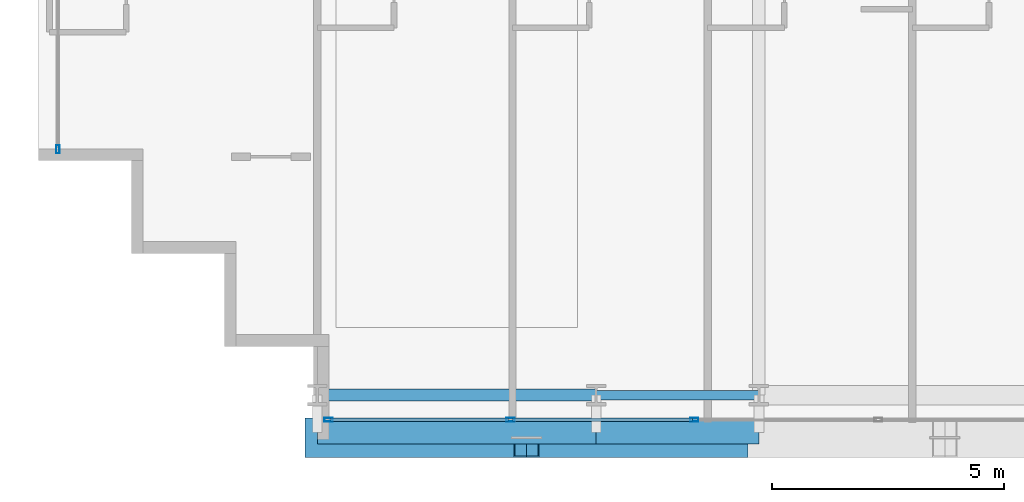
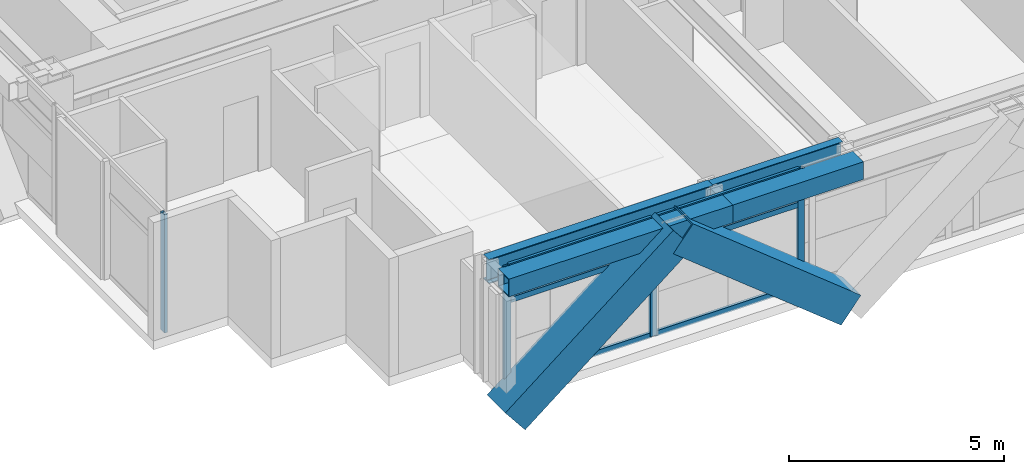
# One storey, part 2 of 36: 12 members, 4 beams, 2 elements without a shape of their own.
"""IFC4 building model written with IfcOpenShell, lengths in metres."""

from ifc_helpers import new_model, si_unit, direction, frame, origin, origin_2d, place, context, subcontext, project, spatial, hollow_rectangle, i_section, extrude, source, transform, mapped, material, layer, layer_set, material_profile, profile_set, type_object, element, aggregate, save


model = new_model("IFC4")

# Units and contexts
model_context = context("Model", 3, precision=1e-05, world=origin(), true_north=direction((0.0, 1.0)))
body_context = subcontext(model_context, "Body", "Model", "MODEL_VIEW")
ifc_project = project(units=[si_unit("LENGTHUNIT", "METRE"), si_unit("AREAUNIT", "SQUARE_METRE"), si_unit("VOLUMEUNIT", "CUBIC_METRE"), si_unit("PLANEANGLEUNIT", "RADIAN"), si_unit("MASSUNIT", "GRAM", prefix="KILO")], contexts=[model_context])

# Site, building, storey
site_placement = place(None, origin())
site = spatial("IfcSite", under=ifc_project, at=site_placement, CompositionType="ELEMENT")
building_placement = place(site_placement, origin())
building = spatial("IfcBuilding", under=site, at=building_placement, Name="Ocotamira Hotel", CompositionType="ELEMENT")
storey_placement = place(building_placement, frame((0.0, 0.0, 42.0)))
storey = spatial("IfcBuildingStorey", under=building, at=storey_placement, Name="L09", CompositionType="ELEMENT", Elevation=42.0)

# Beams
ifc_material_1 = material(Name="Steel ASTM A992 Grade 50", Category="steel")
ifc_material_profile_1 = material_profile(ifc_material_1, i_section(OverallWidth=0.256103515625, OverallDepth=0.693115234375, WebThickness=0.014404296875, FlangeThickness=0.023681640625, FilletRadius=0.01611328125, at=origin_2d()), Name="W27X114")
ifc_profile_set_1 = profile_set([ifc_material_profile_1], Name="Steel ASTM A992 Grade 50")
beam_type_1 = type_object("IfcBeamType", Name="BM-PRIM-W27X114", PredefinedType="BEAM", material=ifc_profile_set_1)
shared_shape_1 = source(origin(), body_context, "Body", "SweptSolid", [
    extrude(i_section(OverallWidth=0.256103515625, OverallDepth=0.693115234375, WebThickness=0.014404296875, FlangeThickness=0.023681640625, FilletRadius=0.01611328125, at=origin_2d()), origin(), (0.0, 0.0, 1.0), 6.0),
])
beam_1_placement = place(storey_placement, frame((14.0, 2.949951171875, 3.00341796875), z_axis=(1.0, 0.0, 0.0), x_axis=(0.0, 1.0, 0.0)))
element("IfcBeam", 1, at=beam_1_placement, inside=storey, type_object=beam_type_1, Name="L09 Girder Y2.95 X14-20", PredefinedType="BEAM", context=body_context, shape_type="MappedRepresentation", body=[
    mapped(shared_shape_1, transform((0.0, 0.0, 0.0), scale=1.0)),
])
ifc_material_profile_2 = material_profile(ifc_material_1, i_section(OverallWidth=0.2099609375, OverallDepth=0.537109375, WebThickness=0.010986328125, FlangeThickness=0.017333984375, FilletRadius=0.012939453125, at=origin_2d()), Name="W21X68")
ifc_profile_set_2 = profile_set([ifc_material_profile_2], Name="Steel ASTM A992 Grade 50")
beam_type_2 = type_object("IfcBeamType", Name="BM-SEC-W21X68", PredefinedType="JOIST", material=ifc_profile_set_2)
shared_shape_2 = source(origin(), body_context, "Body", "SweptSolid", [
    extrude(i_section(OverallWidth=0.2099609375, OverallDepth=0.537109375, WebThickness=0.010986328125, FlangeThickness=0.017333984375, FilletRadius=0.012939453125, at=origin_2d()), origin(), (0.0, 0.0, 1.0), 3.5),
])
beam_2_placement = place(storey_placement, frame((20.0, 2.949951171875, 3.08154296875), z_axis=(1.0, 0.0, 0.0), x_axis=(0.0, 1.0, 0.0)))
element("IfcBeam", 2, at=beam_2_placement, inside=storey, type_object=beam_type_2, Name="L09 Girder Y2.95 X20-23.5", PredefinedType="JOIST", context=body_context, shape_type="MappedRepresentation", body=[
    mapped(shared_shape_2, transform((0.0, 0.0, 0.0), scale=1.0)),
])
ifc_material_2 = material(Name="Steel ASTM A500 Grade C", Category="steel")
ifc_material_profile_3 = material_profile(ifc_material_2, hollow_rectangle(XDim=0.5, YDim=0.5, WallThickness=0.02001953125, at=origin_2d()), Name="HSS500X500X20")
ifc_profile_set_3 = profile_set([ifc_material_profile_3], Name="Steel ASTM A500 Grade C")
beam_type_3 = type_object("IfcBeamType", Name="BM-SPAN-HSS500", PredefinedType="USERDEFINED", material=ifc_profile_set_3)
shared_shape_3 = source(origin(), body_context, "Body", "SweptSolid", [
    extrude(hollow_rectangle(XDim=0.5, YDim=0.5, WallThickness=0.02001953125, at=origin_2d()), origin(), (0.0, 0.0, 1.0), 6.0),
])
beam_3_placement = place(storey_placement, frame((14.0, 2.14990234375, 3.10009765625), z_axis=(1.0, 0.0, 0.0), x_axis=(0.0, 1.0, 0.0)))
element("IfcBeam", 3, at=beam_3_placement, inside=storey, type_object=beam_type_3, Name="L09 Edge Spandrel S X14-20", ObjectType="SPANDREL", PredefinedType="USERDEFINED", context=body_context, shape_type="MappedRepresentation", body=[
    mapped(shared_shape_3, transform((0.0, 0.0, 0.0), scale=1.0)),
])
shared_shape_4 = source(origin(), body_context, "Body", "SweptSolid", [
    extrude(hollow_rectangle(XDim=0.5, YDim=0.5, WallThickness=0.02001953125, at=origin_2d()), origin(), (0.0, 0.0, 1.0), 3.5),
])
beam_4_placement = place(storey_placement, frame((20.0, 2.14990234375, 3.10009765625), z_axis=(1.0, 0.0, 0.0), x_axis=(0.0, 1.0, 0.0)))
element("IfcBeam", 4, at=beam_4_placement, inside=storey, type_object=beam_type_3, Name="L09 Edge Spandrel S X20-23.5", ObjectType="SPANDREL", PredefinedType="USERDEFINED", context=body_context, shape_type="MappedRepresentation", body=[
    mapped(shared_shape_4, transform((0.0, 0.0, 0.0), scale=1.0)),
])

# Members
ifc_material_3 = material(Name="Pale-metal coated steel ASTM A913 Grade 65", Category="steel")
ifc_material_profile_4 = material_profile(ifc_material_3, hollow_rectangle(XDim=0.85009765625, YDim=0.85009765625, WallThickness=0.035888671875, at=origin_2d()), Name="BOX850X850X36")
ifc_profile_set_4 = profile_set([ifc_material_profile_4], Name="Pale-metal coated steel ASTM A913 Grade 65")
member_type_1 = type_object("IfcMemberType", Name="MEM-EXO-BOX850", PredefinedType="BRACE", material=ifc_profile_set_4)
shared_shape_5 = source(origin(), body_context, "Body", "SweptSolid", [
    extrude(hollow_rectangle(XDim=0.85009765625, YDim=0.85009765625, WallThickness=0.035888671875, at=origin_2d()), origin(), (0.0, 0.0, 1.0), 5.762939453125),
])
for number, where, z_axis, x_axis, name in (
    (5, (14.0, 2.030029296875, -0.5), (0.780860543151, 0.0, 0.624705380279), (0.0, 1.0, 0.0), "L09 Exoskeleton Diagrid S0.1"),
    (6, (23.0, 2.030029296875, -0.5), (-0.780860543151, 0.0, 0.624705380279), (0.0, -1.0, 0.0), "L09 Exoskeleton Diagrid S0.2"),
):
    element("IfcMember", number, at=place(storey_placement, frame(where, z_axis=z_axis, x_axis=x_axis)), inside=storey, type_object=member_type_1, Name=name, PredefinedType="BRACE", context=body_context, shape_type="MappedRepresentation", body=[
        mapped(shared_shape_5, transform((0.0, 0.0, 0.0), scale=1.0)),
    ])

# Curtain wall, members
ifc_material_4 = material(Name="Anodised pale-metal aluminium and solar glass", Category="aluminium")
ifc_layer = layer(ifc_material_4, 0.179931640625)
ifc_layer_set = layer_set([ifc_layer], Name="Anodised pale-metal aluminium and solar glass")
curtain_wall_type = type_object("IfcCurtainWallType", Name="CW-SYS2-Z1", PredefinedType="NOTDEFINED", material=ifc_layer_set)
curtain_wall_1_placement = place(storey_placement, origin())
curtain_wall_1 = element("IfcCurtainWall", 7, at=curtain_wall_1_placement, inside=storey, type_object=curtain_wall_type, Name="L09 Curtain Wall CW-2 CW-L09-S1", PredefinedType="NOTDEFINED")
ifc_material_5 = material(Name="Anodised pale-metal aluminium 6063-T6", Category="aluminium")
ifc_material_profile_5 = material_profile(ifc_material_5, hollow_rectangle(XDim=0.074951171875, YDim=0.14990234375, WallThickness=0.006103515625, at=origin_2d()), Name="HSS150X75X6")
ifc_profile_set_5 = profile_set([ifc_material_profile_5], Name="Anodised pale-metal aluminium 6063-T6")
member_type_2 = type_object("IfcMemberType", Name="CWT-150X75", PredefinedType="USERDEFINED", material=ifc_profile_set_5)
shared_shape_6 = source(origin(), body_context, "Body", "SweptSolid", [
    extrude(hollow_rectangle(XDim=0.074951171875, YDim=0.14990234375, WallThickness=0.006103515625, at=origin_2d()), origin(), (0.0, 0.0, 1.0), 3.83544921875),
])
member_1_placement = place(storey_placement, frame((14.280029296875, 2.419921875, 0.03759765625), z_axis=(1.0, 0.0, 0.0), x_axis=(0.0, 1.0, 0.0)))
member_1 = element("IfcMember", 8, at=member_1_placement, type_object=member_type_2, Name="CW-2 transom 1.1", ObjectType="TRANSOM", PredefinedType="USERDEFINED", context=body_context, shape_type="MappedRepresentation", body=[
    mapped(shared_shape_6, transform((0.0, 0.0, 0.0), scale=1.0)),
])
member_2_placement = place(storey_placement, frame((14.280029296875, 2.419921875, 2.35009765625), z_axis=(1.0, 0.0, 0.0), x_axis=(0.0, 1.0, 0.0)))
member_2 = element("IfcMember", 9, at=member_2_placement, type_object=member_type_2, Name="CW-2 transom 1.2", ObjectType="TRANSOM", PredefinedType="USERDEFINED", context=body_context, shape_type="MappedRepresentation", body=[
    mapped(shared_shape_6, transform((0.0, 0.0, 0.0), scale=1.0)),
])
member_3_placement = place(storey_placement, frame((14.280029296875, 2.419921875, 3.3125), z_axis=(1.0, 0.0, 0.0), x_axis=(0.0, 1.0, 0.0)))
member_3 = element("IfcMember", 10, at=member_3_placement, type_object=member_type_2, Name="CW-2 transom 1.3", ObjectType="TRANSOM", PredefinedType="USERDEFINED", context=body_context, shape_type="MappedRepresentation", body=[
    mapped(shared_shape_6, transform((0.0, 0.0, 0.0), scale=1.0)),
])
shared_shape_7 = source(origin(), body_context, "Body", "SweptSolid", [
    extrude(hollow_rectangle(XDim=0.074951171875, YDim=0.14990234375, WallThickness=0.006103515625, at=origin_2d()), origin(), (0.0, 0.0, 1.0), 3.87548828125),
])
member_4_placement = place(storey_placement, frame((18.195556640625, 2.419921875, 0.03759765625), z_axis=(1.0, 0.0, 0.0), x_axis=(0.0, 1.0, 0.0)))
member_4 = element("IfcMember", 11, at=member_4_placement, type_object=member_type_2, Name="CW-2 transom 2.1", ObjectType="TRANSOM", PredefinedType="USERDEFINED", context=body_context, shape_type="MappedRepresentation", body=[
    mapped(shared_shape_7, transform((0.0, 0.0, 0.0), scale=1.0)),
])
member_5_placement = place(storey_placement, frame((18.195556640625, 2.419921875, 2.35009765625), z_axis=(1.0, 0.0, 0.0), x_axis=(0.0, 1.0, 0.0)))
member_5 = element("IfcMember", 12, at=member_5_placement, type_object=member_type_2, Name="CW-2 transom 2.2", ObjectType="TRANSOM", PredefinedType="USERDEFINED", context=body_context, shape_type="MappedRepresentation", body=[
    mapped(shared_shape_7, transform((0.0, 0.0, 0.0), scale=1.0)),
])
member_6_placement = place(storey_placement, frame((18.195556640625, 2.419921875, 3.3125), z_axis=(1.0, 0.0, 0.0), x_axis=(0.0, 1.0, 0.0)))
member_6 = element("IfcMember", 13, at=member_6_placement, type_object=member_type_2, Name="CW-2 transom 2.3", ObjectType="TRANSOM", PredefinedType="USERDEFINED", context=body_context, shape_type="MappedRepresentation", body=[
    mapped(shared_shape_7, transform((0.0, 0.0, 0.0), scale=1.0)),
])
ifc_material_profile_6 = material_profile(ifc_material_5, hollow_rectangle(XDim=0.080078125, YDim=0.179931640625, WallThickness=0.006103515625, at=origin_2d()), Name="HSS180X80X6")
ifc_profile_set_6 = profile_set([ifc_material_profile_6], Name="Anodised pale-metal aluminium 6063-T6")
member_type_3 = type_object("IfcMemberType", Name="CWM-180X75", PredefinedType="MULLION", material=ifc_profile_set_6)
shared_shape_8 = source(origin(), body_context, "Body", "SweptSolid", [
    extrude(hollow_rectangle(XDim=0.080078125, YDim=0.179931640625, WallThickness=0.006103515625, at=origin_2d()), origin(), (0.0, 0.0, 1.0), 3.35009765625),
])
member_7_placement = place(storey_placement, frame((14.239990234375, 2.419921875, 0.0), z_axis=(0.0, 0.0, 1.0), x_axis=(0.0, 1.0, 0.0)))
member_7 = element("IfcMember", 14, at=member_7_placement, type_object=member_type_3, Name="CW-2 mullion 1", PredefinedType="MULLION", context=body_context, shape_type="MappedRepresentation", body=[
    mapped(shared_shape_8, transform((0.0, 0.0, 0.0), scale=1.0)),
])
member_8_placement = place(storey_placement, frame((18.155517578125, 2.419921875, 0.0), z_axis=(0.0, 0.0, 1.0), x_axis=(0.0, 1.0, 0.0)))
member_8 = element("IfcMember", 15, at=member_8_placement, type_object=member_type_3, Name="CW-2 mullion 2", PredefinedType="MULLION", context=body_context, shape_type="MappedRepresentation", body=[
    mapped(shared_shape_8, transform((0.0, 0.0, 0.0), scale=1.0)),
])
member_9_placement = place(storey_placement, frame((22.111083984375, 2.419921875, 0.0), z_axis=(0.0, 0.0, 1.0), x_axis=(0.0, 1.0, 0.0)))
member_9 = element("IfcMember", 16, at=member_9_placement, type_object=member_type_3, Name="CW-2 mullion 3", PredefinedType="MULLION", context=body_context, shape_type="MappedRepresentation", body=[
    mapped(shared_shape_8, transform((0.0, 0.0, 0.0), scale=1.0)),
])
aggregate(curtain_wall_1, [member_7, member_8, member_9, member_1, member_2, member_3, member_4, member_5, member_6])

# Curtain wall, member
curtain_wall_2_placement = place(storey_placement, origin())
curtain_wall_2 = element("IfcCurtainWall", 17, at=curtain_wall_2_placement, inside=storey, type_object=curtain_wall_type, Name="L09 Curtain Wall CW-2 CW-L09-W", PredefinedType="NOTDEFINED")
member_10_placement = place(storey_placement, frame((8.419921875, 8.239990234375, 0.0), z_axis=(0.0, 0.0, 1.0), x_axis=(-1.0, 0.0, 0.0)))
member_10 = element("IfcMember", 18, at=member_10_placement, type_object=member_type_3, Name="CW-2 mullion 1", PredefinedType="MULLION", context=body_context, shape_type="MappedRepresentation", body=[
    mapped(shared_shape_8, transform((0.0, 0.0, 0.0), scale=1.0)),
])
aggregate(curtain_wall_2, [member_10])

save(model, "model.ifc")
